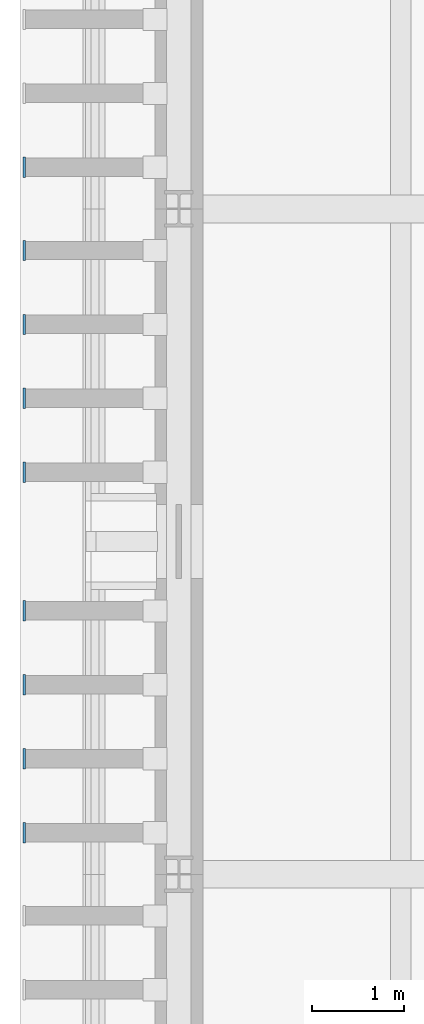
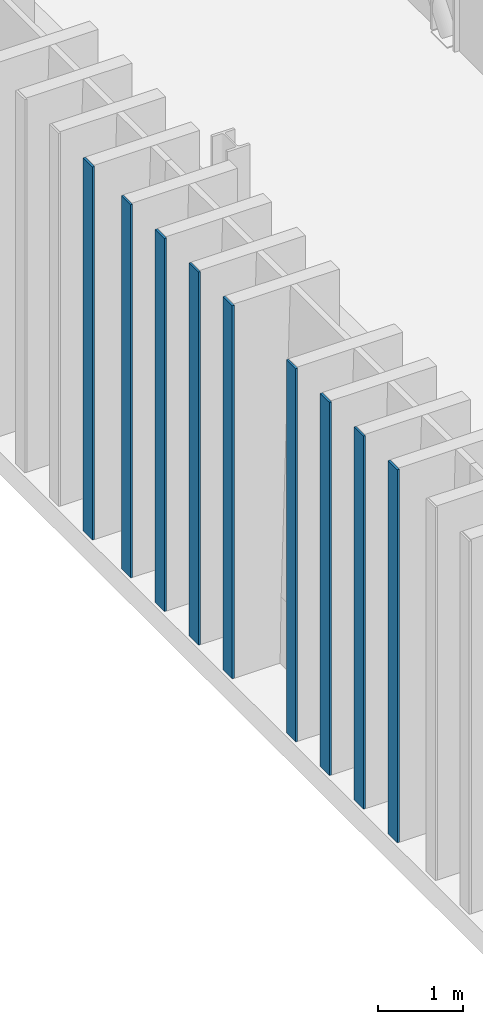
# One storey, part 56 of 120: 9 plates.
"""IFC4 building model written with IfcOpenShell, lengths in metres."""

from ifc_helpers import new_model, si_unit, direction, frame, origin, origin_2d, place, context, subcontext, project, spatial, rectangle, extrude, material, layer, layer_set, type_object, element, save


model = new_model("IFC4")

# Units and contexts
model_context = context("Model", 3, precision=1e-05, world=origin(), true_north=direction((0.0, 1.0)))
body_context = subcontext(model_context, "Body", "Model", "MODEL_VIEW")
ifc_project = project(units=[si_unit("LENGTHUNIT", "METRE"), si_unit("AREAUNIT", "SQUARE_METRE"), si_unit("VOLUMEUNIT", "CUBIC_METRE"), si_unit("PLANEANGLEUNIT", "RADIAN"), si_unit("MASSUNIT", "GRAM", prefix="KILO")], contexts=[model_context])

# Site, building, storey
site_placement = place(None, origin())
site = spatial("IfcSite", under=ifc_project, at=site_placement, CompositionType="ELEMENT")
building_placement = place(site_placement, origin())
building = spatial("IfcBuilding", under=site, at=building_placement, Name="Narikvali Park Central Library", CompositionType="ELEMENT")
storey_placement = place(building_placement, origin())
storey = spatial("IfcBuildingStorey", under=building, at=storey_placement, Name="L00", CompositionType="ELEMENT", Elevation=0.0)

# Plates
ifc_material = material(Name="Anodised Bronze Aluminium", Category="aluminium")
ifc_layer = layer(ifc_material, 0.028076171875, Name="Anodised Bronze Aluminium")
ifc_layer_set = layer_set([ifc_layer], Name="Anodised Bronze Aluminium")
plate_type = type_object("IfcPlateType", Name="Vertical Brick Fin Bronze Bullnose Cap 28", PredefinedType="SHEET", material=ifc_layer_set)
for number, where, z_axis, x_axis, name in (
    (1, (-1.672119140625, 79.64990234375, 0.010009765625), (0.0, 0.0, 1.0), (1.0, 0.0, 0.0), "West Stacks Fin Bullnose Trim 313"),
    (2, (-1.672119140625, 80.449951171875, 0.010009765625), (0.0, 0.0, 1.0), (1.0, 0.0, 0.0), "West Stacks Fin Bullnose Trim 319"),
    (3, (-1.672119140625, 81.25, 0.010009765625), (0.0, 0.0, 1.0), (1.0, 0.0, 0.0), "West Stacks Fin Bullnose Trim 325"),
    (4, (-1.672119140625, 82.050048828125, 0.010009765625), (0.0, 0.0, 1.0), (1.0, 0.0, 0.0), "West Stacks Fin Bullnose Trim 331"),
    (5, (-1.672119140625, 83.550048828125, 0.010009765625), (0.0, 0.0, 1.0), (1.0, 0.0, 0.0), "West Stacks Fin Bullnose Trim 337"),
    (6, (-1.672119140625, 84.35009765625, 0.010009765625), (0.0, 0.0, 1.0), (1.0, 0.0, 0.0), "West Stacks Fin Bullnose Trim 343"),
    (7, (-1.672119140625, 85.14990234375, 0.010009765625), (0.0, 0.0, 1.0), (1.0, 0.0, 0.0), "West Stacks Fin Bullnose Trim 349"),
    (8, (-1.672119140625, 85.949951171875, 0.010009765625), (0.0, 0.0, 1.0), (1.0, 0.0, 0.0), "West Stacks Fin Bullnose Trim 355"),
    (9, (-1.672119140625, 86.85009765625, 0.010009765625), (0.0, 0.0, 1.0), (1.0, 0.0, 0.0), "West Stacks Fin Bullnose Trim 361"),
):
    element("IfcPlate", number, at=place(storey_placement, frame(where, z_axis=z_axis, x_axis=x_axis)), inside=storey, type_object=plate_type, Name=name, PredefinedType="SHEET", context=body_context, shape_type="SweptSolid", body=[
        extrude(rectangle(XDim=0.028076171875, YDim=0.219970703125, at=origin_2d()), origin(), (0.0, 0.0, 1.0), 5.3798828125),
    ])

save(model, "model.ifc")
